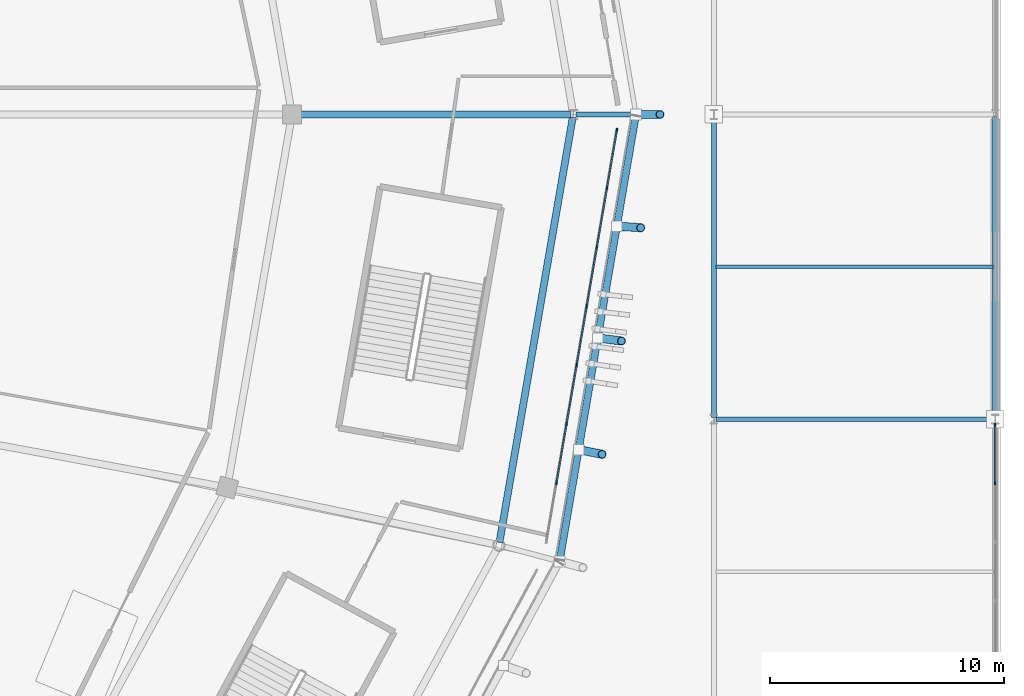
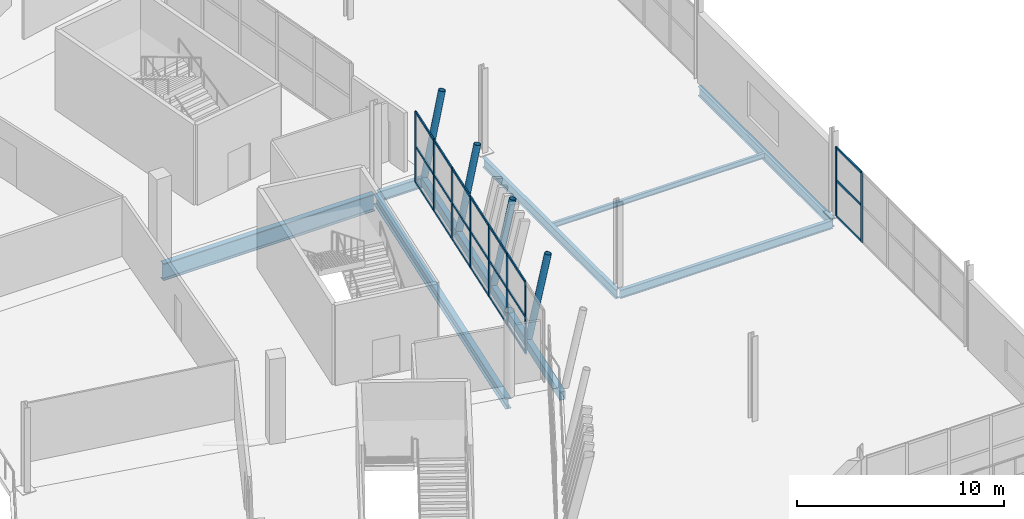
# One storey, part 65 of 179: 34 members, 8 beams, 2 elements without a shape of their own.
"""IFC4 building model written with IfcOpenShell, lengths in metres."""

from ifc_helpers import new_model, si_unit, direction, frame, origin, origin_2d, place, context, subcontext, project, spatial, rectangle, hollow_rectangle, hollow_circle, i_section, extrude, material, material_profile, profile_set, type_object, element, aggregate, save


model = new_model("IFC4")

# Units and contexts
model_context = context("Model", 3, precision=1e-05, world=origin(), true_north=direction((0.0, 1.0)))
body_context = subcontext(model_context, "Body", "Model", "MODEL_VIEW")
ifc_project = project(units=[si_unit("LENGTHUNIT", "METRE"), si_unit("AREAUNIT", "SQUARE_METRE"), si_unit("VOLUMEUNIT", "CUBIC_METRE"), si_unit("PLANEANGLEUNIT", "RADIAN"), si_unit("MASSUNIT", "GRAM", prefix="KILO")], contexts=[model_context])

# Site, building, storey
site_placement = place(None, origin())
site = spatial("IfcSite", under=ifc_project, at=site_placement, CompositionType="ELEMENT")
building_placement = place(site_placement, origin())
building = spatial("IfcBuilding", under=site, at=building_placement, Name="Zlatoyarsky Gate Stadium", CompositionType="ELEMENT")
storey_placement = place(building_placement, frame((0.0, 0.0, 10.60009765625)))
storey = spatial("IfcBuildingStorey", under=building, at=storey_placement, Name="L02", CompositionType="ELEMENT", Elevation=10.60009765625)

# Curtain wall, members
ifc_material_1 = material(Name="Thermally broken anodised aluminium curtain wall", Category="aluminium")
curtain_wall_type_1 = type_object("IfcCurtainWallType", Name="UNITISED HOSPITALITY GLAZING L02", PredefinedType="USERDEFINED", material=ifc_material_1)
curtain_wall_1_placement = place(storey_placement, origin())
curtain_wall_1 = element("IfcCurtainWall", 1, at=curtain_wall_1_placement, inside=storey, type_object=curtain_wall_type_1, Name="Curtain wall CW-L02-23", ObjectType="UNITISED GLAZING", PredefinedType="USERDEFINED")
ifc_material_2 = material(Name="Anodised aluminium 6063-T6", Category="aluminium")
ifc_material_profile_1 = material_profile(ifc_material_2, rectangle(XDim=0.06494140625, YDim=0.159912109375, at=origin_2d()), Name="ALU 65X160")
ifc_profile_set_1 = profile_set([ifc_material_profile_1], Name="Anodised aluminium 6063-T6")
member_type_1 = type_object("IfcMemberType", Name="ALUMINIUM MULLION 65X160", PredefinedType="MULLION", material=ifc_profile_set_1)
member_1_placement = place(storey_placement, frame((203.280517578125, 64.268310546875, 0.0), z_axis=(0.0, 0.0, 1.0), x_axis=(-0.985637221019, 0.168876489016, 0.0)))
member_1 = element("IfcMember", 2, at=member_1_placement, type_object=member_type_1, Name="CW-UG2 mullion 2", PredefinedType="MULLION", context=body_context, shape_type="SweptSolid", body=[
    extrude(rectangle(XDim=0.06494140625, YDim=0.159912109375, at=origin_2d()), origin(), (0.0, 0.0, 1.0), 4.199951171875),
])
member_2_placement = place(storey_placement, frame((203.71142578125, 66.783447265625, 0.0), z_axis=(0.0, 0.0, 1.0), x_axis=(-0.985637221019, 0.168876489016, 0.0)))
member_2 = element("IfcMember", 3, at=member_2_placement, type_object=member_type_1, Name="CW-UG2 mullion 3", PredefinedType="MULLION", context=body_context, shape_type="SweptSolid", body=[
    extrude(rectangle(XDim=0.06494140625, YDim=0.159912109375, at=origin_2d()), origin(), (0.0, 0.0, 1.0), 4.199951171875),
])
member_3_placement = place(storey_placement, frame((204.142333984375, 69.298583984375, 0.0), z_axis=(0.0, 0.0, 1.0), x_axis=(-0.985637221019, 0.168876489016, 0.0)))
member_3 = element("IfcMember", 4, at=member_3_placement, type_object=member_type_1, Name="CW-UG2 mullion 4", PredefinedType="MULLION", context=body_context, shape_type="SweptSolid", body=[
    extrude(rectangle(XDim=0.06494140625, YDim=0.159912109375, at=origin_2d()), origin(), (0.0, 0.0, 1.0), 4.199951171875),
])
member_4_placement = place(storey_placement, frame((204.5732421875, 71.813720703125, 0.0), z_axis=(0.0, 0.0, 1.0), x_axis=(-0.985637221019, 0.168876489016, 0.0)))
member_4 = element("IfcMember", 5, at=member_4_placement, type_object=member_type_1, Name="CW-UG2 mullion 5", PredefinedType="MULLION", context=body_context, shape_type="SweptSolid", body=[
    extrude(rectangle(XDim=0.06494140625, YDim=0.159912109375, at=origin_2d()), origin(), (0.0, 0.0, 1.0), 4.199951171875),
])
member_5_placement = place(storey_placement, frame((205.004150390625, 74.328857421875, 0.0), z_axis=(0.0, 0.0, 1.0), x_axis=(-0.985637221019, 0.168876489016, 0.0)))
member_5 = element("IfcMember", 6, at=member_5_placement, type_object=member_type_1, Name="CW-UG2 mullion 6", PredefinedType="MULLION", context=body_context, shape_type="SweptSolid", body=[
    extrude(rectangle(XDim=0.06494140625, YDim=0.159912109375, at=origin_2d()), origin(), (0.0, 0.0, 1.0), 4.199951171875),
])
member_6_placement = place(storey_placement, frame((205.43505859375, 76.84423828125, 0.0), z_axis=(0.0, 0.0, 1.0), x_axis=(-0.985637221019, 0.168876489016, 0.0)))
member_6 = element("IfcMember", 7, at=member_6_placement, type_object=member_type_1, Name="CW-UG2 mullion 7", PredefinedType="MULLION", context=body_context, shape_type="SweptSolid", body=[
    extrude(rectangle(XDim=0.06494140625, YDim=0.159912109375, at=origin_2d()), origin(), (0.0, 0.0, 1.0), 4.199951171875),
])
member_7_placement = place(storey_placement, frame((205.860595703125, 79.3271484375, 0.0), z_axis=(0.0, 0.0, 1.0), x_axis=(-0.985637221019, 0.168876489016, 0.0)))
member_7 = element("IfcMember", 8, at=member_7_placement, type_object=member_type_1, Name="CW-UG2 mullion 8", PredefinedType="MULLION", context=body_context, shape_type="SweptSolid", body=[
    extrude(rectangle(XDim=0.06494140625, YDim=0.159912109375, at=origin_2d()), origin(), (0.0, 0.0, 1.0), 4.199951171875),
])

curtain_wall_type_2 = type_object("IfcCurtainWallType", Name="WINTER GARDEN CONSERVATORY GLAZING", PredefinedType="USERDEFINED", material=ifc_material_1)
curtain_wall_2_placement = place(storey_placement, origin())
curtain_wall_2 = element("IfcCurtainWall", 9, at=curtain_wall_2_placement, inside=storey, type_object=curtain_wall_type_2, Name="Curtain wall CW-V5_EAST-L02-183", ObjectType="UNITISED GLAZING", PredefinedType="USERDEFINED")
member_8_placement = place(storey_placement, frame((222.0, 64.272705078125, 0.0), z_axis=(0.0, 0.0, 1.0), x_axis=(-1.0, 0.0, 0.0)))
member_8 = element("IfcMember", 10, at=member_8_placement, type_object=member_type_1, Name="CW-WG1 mullion 5", PredefinedType="MULLION", context=body_context, shape_type="SweptSolid", body=[
    extrude(rectangle(XDim=0.06494140625, YDim=0.159912109375, at=origin_2d()), origin(), (0.0, 0.0, 1.0), 4.099853515625),
])
member_9_placement = place(storey_placement, frame((222.0, 66.755615234375, 0.0), z_axis=(0.0, 0.0, 1.0), x_axis=(-1.0, 0.0, 0.0)))
member_9 = element("IfcMember", 11, at=member_9_placement, type_object=member_type_1, Name="CW-WG1 mullion 6", PredefinedType="MULLION", context=body_context, shape_type="SweptSolid", body=[
    extrude(rectangle(XDim=0.06494140625, YDim=0.159912109375, at=origin_2d()), origin(), (0.0, 0.0, 1.0), 4.099853515625),
])

# Member
ifc_material_profile_2 = material_profile(ifc_material_2, rectangle(XDim=0.06494140625, YDim=0.139892578125, at=origin_2d()), Name="ALU 65X140")
ifc_profile_set_2 = profile_set([ifc_material_profile_2], Name="Anodised aluminium 6063-T6")
member_type_2 = type_object("IfcMemberType", Name="ALUMINIUM TRANSOM 65X140", PredefinedType="USERDEFINED", material=ifc_profile_set_2)
member_10_placement = place(storey_placement, frame((203.285888671875, 64.30029296875, 0.032470703125), z_axis=(0.168854821238, 0.985640933274, 0.0), x_axis=(-0.985640933274, 0.168854821238, 0.0)))
member_10 = element("IfcMember", 12, at=member_10_placement, type_object=member_type_2, Name="CW-UG2 transom 2.1", ObjectType="TRANSOM", PredefinedType="USERDEFINED", context=body_context, shape_type="SweptSolid", body=[
    extrude(rectangle(XDim=0.06494140625, YDim=0.139892578125, at=origin_2d()), origin(), (0.0, 0.0, 1.0), 2.48681640625),
])

member_11_placement = place(storey_placement, frame((203.285888671875, 64.30029296875, 2.14990234375), z_axis=(0.168854821238, 0.985640933274, 0.0), x_axis=(-0.985640933274, 0.168854821238, 0.0)))
member_11 = element("IfcMember", 13, at=member_11_placement, type_object=member_type_2, Name="CW-UG2 transom 2.2", ObjectType="TRANSOM", PredefinedType="USERDEFINED", context=body_context, shape_type="SweptSolid", body=[
    extrude(rectangle(XDim=0.06494140625, YDim=0.139892578125, at=origin_2d()), origin(), (0.0, 0.0, 1.0), 2.48681640625),
])

member_12_placement = place(storey_placement, frame((203.285888671875, 64.30029296875, 4.16748046875), z_axis=(0.168854821238, 0.985640933274, 0.0), x_axis=(-0.985640933274, 0.168854821238, 0.0)))
member_12 = element("IfcMember", 14, at=member_12_placement, type_object=member_type_2, Name="CW-UG2 transom 2.3", ObjectType="TRANSOM", PredefinedType="USERDEFINED", context=body_context, shape_type="SweptSolid", body=[
    extrude(rectangle(XDim=0.06494140625, YDim=0.139892578125, at=origin_2d()), origin(), (0.0, 0.0, 1.0), 2.48681640625),
])

member_13_placement = place(storey_placement, frame((203.716796875, 66.8154296875, 0.032470703125), z_axis=(0.168854821238, 0.985640933274, 0.0), x_axis=(-0.985640933274, 0.168854821238, 0.0)))
member_13 = element("IfcMember", 15, at=member_13_placement, type_object=member_type_2, Name="CW-UG2 transom 3.1", ObjectType="TRANSOM", PredefinedType="USERDEFINED", context=body_context, shape_type="SweptSolid", body=[
    extrude(rectangle(XDim=0.06494140625, YDim=0.139892578125, at=origin_2d()), origin(), (0.0, 0.0, 1.0), 2.48681640625),
])

member_14_placement = place(storey_placement, frame((203.716796875, 66.8154296875, 2.14990234375), z_axis=(0.168854821238, 0.985640933274, 0.0), x_axis=(-0.985640933274, 0.168854821238, 0.0)))
member_14 = element("IfcMember", 16, at=member_14_placement, type_object=member_type_2, Name="CW-UG2 transom 3.2", ObjectType="TRANSOM", PredefinedType="USERDEFINED", context=body_context, shape_type="SweptSolid", body=[
    extrude(rectangle(XDim=0.06494140625, YDim=0.139892578125, at=origin_2d()), origin(), (0.0, 0.0, 1.0), 2.48681640625),
])

member_15_placement = place(storey_placement, frame((203.716796875, 66.8154296875, 4.16748046875), z_axis=(0.168854821238, 0.985640933274, 0.0), x_axis=(-0.985640933274, 0.168854821238, 0.0)))
member_15 = element("IfcMember", 17, at=member_15_placement, type_object=member_type_2, Name="CW-UG2 transom 3.3", ObjectType="TRANSOM", PredefinedType="USERDEFINED", context=body_context, shape_type="SweptSolid", body=[
    extrude(rectangle(XDim=0.06494140625, YDim=0.139892578125, at=origin_2d()), origin(), (0.0, 0.0, 1.0), 2.48681640625),
])

member_16_placement = place(storey_placement, frame((204.147705078125, 69.33056640625, 0.032470703125), z_axis=(0.168950191216, 0.985624590241, 0.0), x_axis=(-0.985624590241, 0.168950191216, 0.0)))
member_16 = element("IfcMember", 18, at=member_16_placement, type_object=member_type_2, Name="CW-UG2 transom 4.1", ObjectType="TRANSOM", PredefinedType="USERDEFINED", context=body_context, shape_type="SweptSolid", body=[
    extrude(rectangle(XDim=0.06494140625, YDim=0.139892578125, at=origin_2d()), origin(), (0.0, 0.0, 1.0), 2.48681640625),
])

member_17_placement = place(storey_placement, frame((204.147705078125, 69.33056640625, 2.14990234375), z_axis=(0.168950191216, 0.985624590241, 0.0), x_axis=(-0.985624590241, 0.168950191216, 0.0)))
member_17 = element("IfcMember", 19, at=member_17_placement, type_object=member_type_2, Name="CW-UG2 transom 4.2", ObjectType="TRANSOM", PredefinedType="USERDEFINED", context=body_context, shape_type="SweptSolid", body=[
    extrude(rectangle(XDim=0.06494140625, YDim=0.139892578125, at=origin_2d()), origin(), (0.0, 0.0, 1.0), 2.48681640625),
])

member_18_placement = place(storey_placement, frame((204.147705078125, 69.33056640625, 4.16748046875), z_axis=(0.168950191216, 0.985624590241, 0.0), x_axis=(-0.985624590241, 0.168950191216, 0.0)))
member_18 = element("IfcMember", 20, at=member_18_placement, type_object=member_type_2, Name="CW-UG2 transom 4.3", ObjectType="TRANSOM", PredefinedType="USERDEFINED", context=body_context, shape_type="SweptSolid", body=[
    extrude(rectangle(XDim=0.06494140625, YDim=0.139892578125, at=origin_2d()), origin(), (0.0, 0.0, 1.0), 2.48681640625),
])

member_19_placement = place(storey_placement, frame((204.578857421875, 71.845703125, 0.032470703125), z_axis=(0.168854821238, 0.985640933274, 0.0), x_axis=(-0.985640933274, 0.168854821238, 0.0)))
member_19 = element("IfcMember", 21, at=member_19_placement, type_object=member_type_2, Name="CW-UG2 transom 5.1", ObjectType="TRANSOM", PredefinedType="USERDEFINED", context=body_context, shape_type="SweptSolid", body=[
    extrude(rectangle(XDim=0.06494140625, YDim=0.139892578125, at=origin_2d()), origin(), (0.0, 0.0, 1.0), 2.48681640625),
])

member_20_placement = place(storey_placement, frame((204.578857421875, 71.845703125, 2.14990234375), z_axis=(0.168854821238, 0.985640933274, 0.0), x_axis=(-0.985640933274, 0.168854821238, 0.0)))
member_20 = element("IfcMember", 22, at=member_20_placement, type_object=member_type_2, Name="CW-UG2 transom 5.2", ObjectType="TRANSOM", PredefinedType="USERDEFINED", context=body_context, shape_type="SweptSolid", body=[
    extrude(rectangle(XDim=0.06494140625, YDim=0.139892578125, at=origin_2d()), origin(), (0.0, 0.0, 1.0), 2.48681640625),
])

member_21_placement = place(storey_placement, frame((204.578857421875, 71.845703125, 4.16748046875), z_axis=(0.168854821238, 0.985640933274, 0.0), x_axis=(-0.985640933274, 0.168854821238, 0.0)))
member_21 = element("IfcMember", 23, at=member_21_placement, type_object=member_type_2, Name="CW-UG2 transom 5.3", ObjectType="TRANSOM", PredefinedType="USERDEFINED", context=body_context, shape_type="SweptSolid", body=[
    extrude(rectangle(XDim=0.06494140625, YDim=0.139892578125, at=origin_2d()), origin(), (0.0, 0.0, 1.0), 2.48681640625),
])

member_22_placement = place(storey_placement, frame((205.009765625, 74.361083984375, 0.032470703125), z_axis=(0.168871161485, 0.985638133809, 0.0), x_axis=(-0.985638133809, 0.168871161485, 0.0)))
member_22 = element("IfcMember", 24, at=member_22_placement, type_object=member_type_2, Name="CW-UG2 transom 6.1", ObjectType="TRANSOM", PredefinedType="USERDEFINED", context=body_context, shape_type="SweptSolid", body=[
    extrude(rectangle(XDim=0.06494140625, YDim=0.139892578125, at=origin_2d()), origin(), (0.0, 0.0, 1.0), 2.486572265625),
])

member_23_placement = place(storey_placement, frame((205.009765625, 74.361083984375, 2.14990234375), z_axis=(0.168871161485, 0.985638133809, 0.0), x_axis=(-0.985638133809, 0.168871161485, 0.0)))
member_23 = element("IfcMember", 25, at=member_23_placement, type_object=member_type_2, Name="CW-UG2 transom 6.2", ObjectType="TRANSOM", PredefinedType="USERDEFINED", context=body_context, shape_type="SweptSolid", body=[
    extrude(rectangle(XDim=0.06494140625, YDim=0.139892578125, at=origin_2d()), origin(), (0.0, 0.0, 1.0), 2.486572265625),
])

member_24_placement = place(storey_placement, frame((205.009765625, 74.361083984375, 4.16748046875), z_axis=(0.168871161485, 0.985638133809, 0.0), x_axis=(-0.985638133809, 0.168871161485, 0.0)))
member_24 = element("IfcMember", 26, at=member_24_placement, type_object=member_type_2, Name="CW-UG2 transom 6.3", ObjectType="TRANSOM", PredefinedType="USERDEFINED", context=body_context, shape_type="SweptSolid", body=[
    extrude(rectangle(XDim=0.06494140625, YDim=0.139892578125, at=origin_2d()), origin(), (0.0, 0.0, 1.0), 2.486572265625),
])

member_25_placement = place(storey_placement, frame((205.440673828125, 76.876220703125, 0.032470703125), z_axis=(0.168914115201, 0.985630773508, 0.0), x_axis=(-0.985630773508, 0.168914115201, 0.0)))
member_25 = element("IfcMember", 27, at=member_25_placement, type_object=member_type_2, Name="CW-UG2 transom 7.1", ObjectType="TRANSOM", PredefinedType="USERDEFINED", context=body_context, shape_type="SweptSolid", body=[
    extrude(rectangle(XDim=0.06494140625, YDim=0.139892578125, at=origin_2d()), origin(), (0.0, 0.0, 1.0), 2.4541015625),
])

member_26_placement = place(storey_placement, frame((205.440673828125, 76.876220703125, 2.14990234375), z_axis=(0.168914115201, 0.985630773508, 0.0), x_axis=(-0.985630773508, 0.168914115201, 0.0)))
member_26 = element("IfcMember", 28, at=member_26_placement, type_object=member_type_2, Name="CW-UG2 transom 7.2", ObjectType="TRANSOM", PredefinedType="USERDEFINED", context=body_context, shape_type="SweptSolid", body=[
    extrude(rectangle(XDim=0.06494140625, YDim=0.139892578125, at=origin_2d()), origin(), (0.0, 0.0, 1.0), 2.4541015625),
])

member_27_placement = place(storey_placement, frame((205.440673828125, 76.876220703125, 4.16748046875), z_axis=(0.168914115201, 0.985630773508, 0.0), x_axis=(-0.985630773508, 0.168914115201, 0.0)))
member_27 = element("IfcMember", 29, at=member_27_placement, type_object=member_type_2, Name="CW-UG2 transom 7.3", ObjectType="TRANSOM", PredefinedType="USERDEFINED", context=body_context, shape_type="SweptSolid", body=[
    extrude(rectangle(XDim=0.06494140625, YDim=0.139892578125, at=origin_2d()), origin(), (0.0, 0.0, 1.0), 2.4541015625),
])

aggregate(curtain_wall_1, [member_1, member_2, member_3, member_4, member_5, member_6, member_7, member_10, member_11, member_12, member_13, member_14, member_15, member_16, member_17, member_18, member_19, member_20, member_21, member_22, member_23, member_24, member_25, member_26, member_27])

member_28_placement = place(storey_placement, frame((222.0, 64.305419921875, 0.032470703125), z_axis=(0.0, 1.0, 0.0), x_axis=(-1.0, 0.0, 0.0)))
member_28 = element("IfcMember", 30, at=member_28_placement, type_object=member_type_2, Name="CW-WG1 transom 5.1", ObjectType="TRANSOM", PredefinedType="USERDEFINED", context=body_context, shape_type="SweptSolid", body=[
    extrude(rectangle(XDim=0.06494140625, YDim=0.139892578125, at=origin_2d()), origin(), (0.0, 0.0, 1.0), 2.41748046875),
])

member_29_placement = place(storey_placement, frame((222.0, 64.305419921875, 2.14990234375), z_axis=(0.0, 1.0, 0.0), x_axis=(-1.0, 0.0, 0.0)))
member_29 = element("IfcMember", 31, at=member_29_placement, type_object=member_type_2, Name="CW-WG1 transom 5.2", ObjectType="TRANSOM", PredefinedType="USERDEFINED", context=body_context, shape_type="SweptSolid", body=[
    extrude(rectangle(XDim=0.06494140625, YDim=0.139892578125, at=origin_2d()), origin(), (0.0, 0.0, 1.0), 2.41748046875),
])

member_30_placement = place(storey_placement, frame((222.0, 64.305419921875, 4.0673828125), z_axis=(0.0, 1.0, 0.0), x_axis=(-1.0, 0.0, 0.0)))
member_30 = element("IfcMember", 32, at=member_30_placement, type_object=member_type_2, Name="CW-WG1 transom 5.3", ObjectType="TRANSOM", PredefinedType="USERDEFINED", context=body_context, shape_type="SweptSolid", body=[
    extrude(rectangle(XDim=0.06494140625, YDim=0.139892578125, at=origin_2d()), origin(), (0.0, 0.0, 1.0), 2.41748046875),
])

aggregate(curtain_wall_2, [member_8, member_9, member_28, member_29, member_30])

# Beams
ifc_material_3 = material(Name="Steel S355", Category="steel")
ifc_material_profile_3 = material_profile(ifc_material_3, i_section(OverallWidth=0.219970703125, OverallDepth=0.60009765625, WebThickness=0.011962890625, FlangeThickness=0.01904296875, FilletRadius=0.02392578125, at=origin_2d()), Name="IPE 600")
ifc_profile_set_3 = profile_set([ifc_material_profile_3], Name="Steel S355")
beam_type_1 = type_object("IfcBeamType", Name="STEEL CANTILEVER FLOOR BEAM IPE 600", PredefinedType="BEAM", material=ifc_profile_set_3)
beam_1_placement = place(storey_placement, frame((204.1201171875, 80.0, -0.580078125), z_axis=(1.0, 0.0, 0.0), x_axis=(0.0, 1.0, 0.0)))
element("IfcBeam", 33, at=beam_1_placement, inside=storey, type_object=beam_type_1, Name="Beam B-IPE600 BM-L02-OUT-00", PredefinedType="BEAM", context=body_context, shape_type="SweptSolid", body=[
    extrude(i_section(OverallWidth=0.219970703125, OverallDepth=0.60009765625, WebThickness=0.011962890625, FlangeThickness=0.01904296875, FilletRadius=0.02392578125, at=origin_2d()), origin(), (0.0, 0.0, 1.0), 2.5556640625),
])
ifc_material_profile_4 = material_profile(ifc_material_3, i_section(OverallWidth=0.199951171875, OverallDepth=0.5, WebThickness=0.01025390625, FlangeThickness=0.01611328125, FilletRadius=0.02099609375, at=origin_2d()), Name="IPE 500")
ifc_profile_set_4 = profile_set([ifc_material_profile_4], Name="Steel S355")
beam_type_2 = type_object("IfcBeamType", Name="STEEL FLOOR BEAM IPE 500", PredefinedType="BEAM", material=ifc_profile_set_4)
beam_2_placement = place(storey_placement, frame((210.080078125, 67.0, -0.530029296875), z_axis=(1.0, 0.0, 0.0), x_axis=(0.0, 1.0, 0.0)))
element("IfcBeam", 34, at=beam_2_placement, inside=storey, type_object=beam_type_2, Name="Beam B-IPE500 BM-L02-WGX-18-G", PredefinedType="BEAM", context=body_context, shape_type="SweptSolid", body=[
    extrude(i_section(OverallWidth=0.199951171875, OverallDepth=0.5, WebThickness=0.01025390625, FlangeThickness=0.01611328125, FilletRadius=0.02099609375, at=origin_2d()), origin(), (0.0, 0.0, 1.0), 11.83984375),
])
ifc_material_profile_5 = material_profile(ifc_material_3, i_section(OverallWidth=0.2099609375, OverallDepth=0.550048828125, WebThickness=0.010986328125, FlangeThickness=0.01708984375, FilletRadius=0.02392578125, at=origin_2d()), Name="IPE 550")
ifc_profile_set_5 = profile_set([ifc_material_profile_5], Name="Steel S355")
beam_type_3 = type_object("IfcBeamType", Name="STEEL FLOOR BEAM IPE 550", PredefinedType="BEAM", material=ifc_profile_set_5)
for number, where, z_axis, x_axis, name in (
    (35, (210.0, 67.080078125, -0.55517578125), (0.0, 1.0, 0.0), (-1.0, 0.0, 0.0), "Beam B-IPE550 BM-L02-WGY-18-G"),
    (36, (222.0, 67.080078125, -0.55517578125), (0.0, 1.0, 0.0), (-1.0, 0.0, 0.0), "Beam B-IPE550 BM-L02-WGY-19-G"),
):
    element("IfcBeam", number, at=place(storey_placement, frame(where, z_axis=z_axis, x_axis=x_axis)), inside=storey, type_object=beam_type_3, Name=name, PredefinedType="BEAM", context=body_context, shape_type="SweptSolid", body=[
        extrude(i_section(OverallWidth=0.2099609375, OverallDepth=0.550048828125, WebThickness=0.010986328125, FlangeThickness=0.01708984375, FilletRadius=0.02392578125, at=origin_2d()), origin(), (0.0, 0.0, 1.0), 12.83984375),
    ])

# Members
ifc_material_profile_6 = material_profile(ifc_material_3, hollow_circle(Radius=0.177734375, WallThickness=0.02001953125, at=origin_2d()), Name="CHS 355.6X20")
ifc_profile_set_6 = profile_set([ifc_material_profile_6], Name="Steel S355")
member_type_3 = type_object("IfcMemberType", Name="STEEL LEANING RIB RING STRUT CHS 355.6X20", PredefinedType="STRUT", material=ifc_profile_set_6)
member_31_placement = place(storey_placement, frame((206.67578125, 80.0, -0.580078125), z_axis=(0.201080663232, 0.0, 0.979574686726), x_axis=(0.0, 1.0, 0.0)))
element("IfcMember", 37, at=member_31_placement, inside=storey, type_object=member_type_3, Name="Leaning ring strut 00 L02 to L03", PredefinedType="STRUT", context=body_context, shape_type="SweptSolid", body=[
    extrude(hollow_circle(Radius=0.177734375, WallThickness=0.02001953125, at=origin_2d()), origin(), (0.0, 0.0, 1.0), 5.104248046875),
])
member_32_placement = place(storey_placement, frame((204.230712890625, 65.698486328125, -0.530029296875), z_axis=(0.19601262944, -0.039039859805, 0.979823932371), x_axis=(0.195333486597, 0.980736880623, 0.0)))
element("IfcMember", 38, at=member_32_placement, inside=storey, type_object=member_type_3, Name="Outward-leaning bowl louvre fin rib L02 23-1", PredefinedType="STRUT", context=body_context, shape_type="SweptSolid", body=[
    extrude(hollow_circle(Radius=0.177734375, WallThickness=0.02001953125, at=origin_2d()), origin(), (0.0, 0.0, 1.0), 5.10302734375),
])
member_33_placement = place(storey_placement, frame((205.0458984375, 70.465576171875, -0.530029296875), z_axis=(0.197705666672, -0.026029013231, 0.979915792217), x_axis=(0.13052899417, 0.991444492486, 0.0)))
element("IfcMember", 39, at=member_33_placement, inside=storey, type_object=member_type_3, Name="Outward-leaning bowl louvre fin rib L02 23-2", PredefinedType="STRUT", context=body_context, shape_type="SweptSolid", body=[
    extrude(hollow_circle(Radius=0.177734375, WallThickness=0.02001953125, at=origin_2d()), origin(), (0.0, 0.0, 1.0), 5.1025390625),
])
member_34_placement = place(storey_placement, frame((205.86083984375, 75.23291015625, -0.530029296875), z_axis=(0.1994106341, -0.013013361918, 0.979829603257), x_axis=(0.065120598155, 0.997877401135, 0.0)))
element("IfcMember", 40, at=member_34_placement, inside=storey, type_object=member_type_3, Name="Outward-leaning bowl louvre fin rib L02 23-3", PredefinedType="STRUT", context=body_context, shape_type="SweptSolid", body=[
    extrude(hollow_circle(Radius=0.177734375, WallThickness=0.02001953125, at=origin_2d()), origin(), (0.0, 0.0, 1.0), 5.10302734375),
])

# Beams
ifc_material_profile_7 = material_profile(ifc_material_3, hollow_rectangle(XDim=0.300048828125, YDim=0.5, WallThickness=0.02001953125, at=origin_2d()), Name="RHS 500X300X20")
ifc_profile_set_7 = profile_set([ifc_material_profile_7], Name="Steel S355")
beam_type_4 = type_object("IfcBeamType", Name="STEEL LOUVRE CARRIER SPANDREL RHS 500X300X20", PredefinedType="SPANDREL", material=ifc_profile_set_7)
beam_3_placement = place(storey_placement, frame((203.419189453125, 60.950927734375, -0.530029296875), z_axis=(0.168523637313, 0.985697612692, 0.0), x_axis=(-0.985697612692, 0.168523637313, 0.0)))
element("IfcBeam", 41, at=beam_3_placement, inside=storey, type_object=beam_type_4, Name="Beam SP-RHS500 BM-L02-SPD-23", PredefinedType="SPANDREL", context=body_context, shape_type="SweptSolid", body=[
    extrude(hollow_rectangle(XDim=0.300048828125, YDim=0.5, WallThickness=0.02001953125, at=origin_2d()), origin(), (0.0, 0.0, 1.0), 19.305419921875),
])
ifc_material_profile_8 = material_profile(ifc_material_3, i_section(OverallWidth=0.300048828125, OverallDepth=0.60009765625, WebThickness=0.015380859375, FlangeThickness=0.030029296875, FilletRadius=0.027099609375, at=origin_2d()), Name="HEB 600")
ifc_profile_set_8 = profile_set([ifc_material_profile_8], Name="Steel S355")
beam_type_5 = type_object("IfcBeamType", Name="STEEL PRIMARY GIRDER HEB 600", PredefinedType="BEAM", material=ifc_profile_set_8)
beam_4_placement = place(storey_placement, frame((200.8515625, 61.7421875, -0.580078125), z_axis=(0.169930456666, 0.985456056807, 0.0), x_axis=(-0.985456056807, 0.169930456666, 0.0)))
element("IfcBeam", 42, at=beam_4_placement, inside=storey, type_object=beam_type_5, Name="Beam G-HEB600 BM-L02-CRC-23", PredefinedType="BEAM", context=body_context, shape_type="SweptSolid", body=[
    extrude(i_section(OverallWidth=0.300048828125, OverallDepth=0.60009765625, WebThickness=0.015380859375, FlangeThickness=0.030029296875, FilletRadius=0.027099609375, at=origin_2d()), origin(), (0.0, 0.0, 1.0), 18.4072265625),
])
ifc_material_profile_9 = material_profile(ifc_material_3, i_section(OverallWidth=0.14990234375, OverallDepth=0.300048828125, WebThickness=0.007080078125, FlangeThickness=0.0107421875, FilletRadius=0.014892578125, at=origin_2d()), Name="IPE 300")
ifc_profile_set_9 = profile_set([ifc_material_profile_9], Name="Steel S355")
beam_type_6 = type_object("IfcBeamType", Name="STEEL SECONDARY JOIST IPE 300", PredefinedType="JOIST", material=ifc_profile_set_9)
beam_5_placement = place(storey_placement, frame((210.090087890625, 73.5, -0.43017578125), z_axis=(1.0, 0.0, 0.0), x_axis=(0.0, 1.0, 0.0)))
element("IfcBeam", 43, at=beam_5_placement, inside=storey, type_object=beam_type_6, Name="Beam J-IPE300 JST-L02-18-G", PredefinedType="JOIST", context=body_context, shape_type="SweptSolid", body=[
    extrude(i_section(OverallWidth=0.14990234375, OverallDepth=0.300048828125, WebThickness=0.007080078125, FlangeThickness=0.0107421875, FilletRadius=0.014892578125, at=origin_2d()), origin(), (0.0, 0.0, 1.0), 11.81982421875),
])
ifc_material_profile_10 = material_profile(ifc_material_3, i_section(OverallWidth=0.300048828125, OverallDepth=1.0, WebThickness=0.01904296875, FlangeThickness=0.035888671875, FilletRadius=0.030029296875, at=origin_2d()), Name="HEB 1000")
ifc_profile_set_10 = profile_set([ifc_material_profile_10], Name="Steel S355")
beam_type_7 = type_object("IfcBeamType", Name="STEEL TRANSFER GIRDER HEB 1000", PredefinedType="BEAM", material=ifc_profile_set_10)
beam_6_placement = place(storey_placement, frame((192.1201171875, 80.0, -0.780029296875), z_axis=(1.0, 0.0, 0.0), x_axis=(0.0, 1.0, 0.0)))
element("IfcBeam", 44, at=beam_6_placement, inside=storey, type_object=beam_type_7, Name="Beam G-HEB1000 BM-L02-RBC-00", PredefinedType="BEAM", context=body_context, shape_type="SweptSolid", body=[
    extrude(i_section(OverallWidth=0.300048828125, OverallDepth=1.0, WebThickness=0.01904296875, FlangeThickness=0.035888671875, FilletRadius=0.030029296875, at=origin_2d()), origin(), (0.0, 0.0, 1.0), 11.759765625),
])

save(model, "model.ifc")
